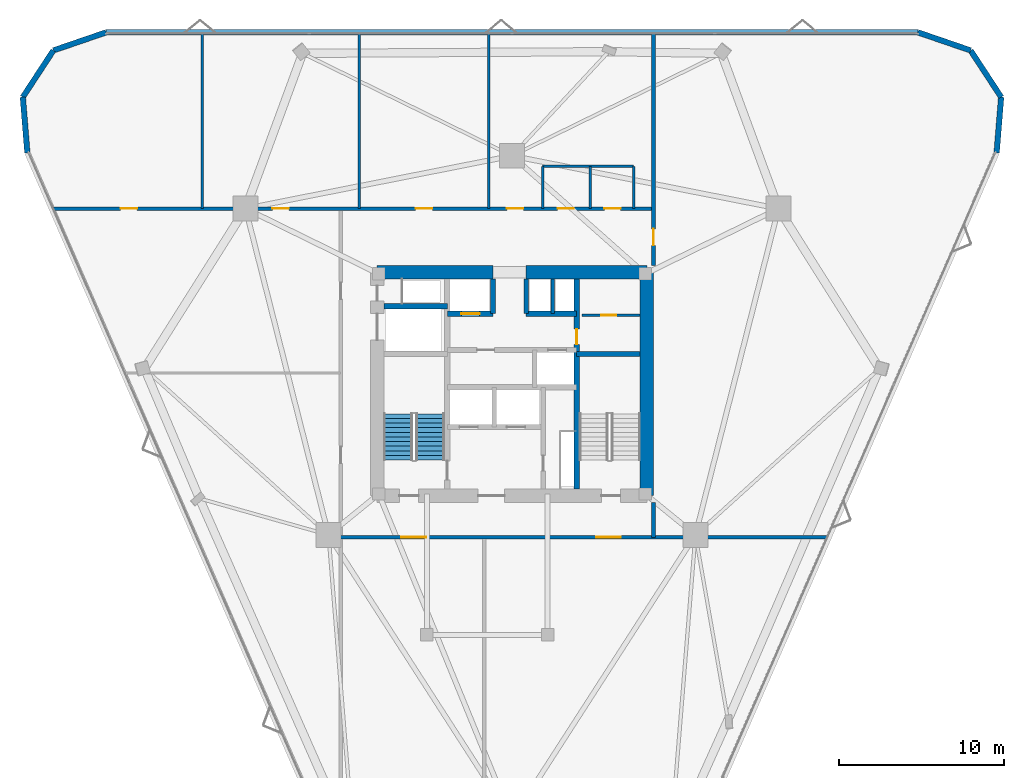
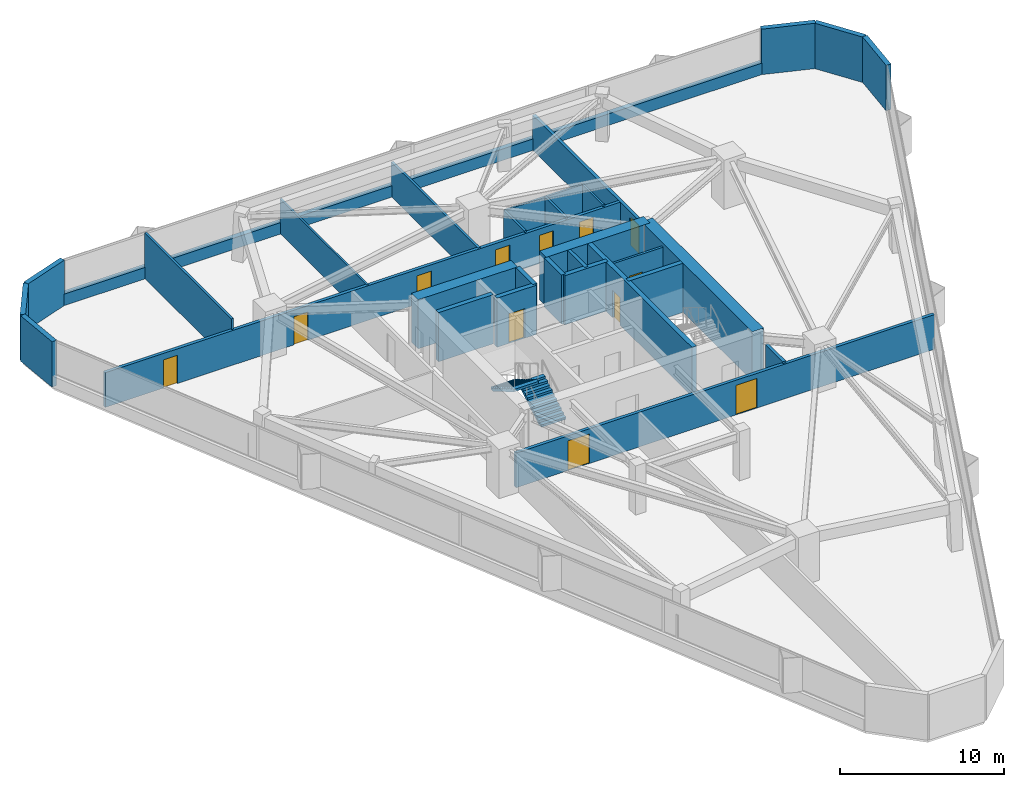
# One storey, part 13 of 15: 30 walls, 12 doors, 2 stair flights, 12 openings, 1 element without a shape of its own.
"""IFC4 building model written with IfcOpenShell, lengths in metres."""

from ifc_helpers import new_model, si_unit, direction, frame, frame_2d, origin, place, context, subcontext, project, spatial, polyline, rectangle, outline, extrude, material, layer, layer_set, type_object, element, fill, aggregate, save


model = new_model("IFC4")

# Units and contexts
model_context = context("Model", 3, precision=1e-05, world=origin(), true_north=direction((0.0, 1.0)))
body_context = subcontext(model_context, "Body", "Model", "MODEL_VIEW")
ifc_project = project(units=[si_unit("LENGTHUNIT", "METRE"), si_unit("AREAUNIT", "SQUARE_METRE"), si_unit("VOLUMEUNIT", "CUBIC_METRE"), si_unit("PLANEANGLEUNIT", "RADIAN"), si_unit("MASSUNIT", "GRAM", prefix="KILO")], contexts=[model_context])

# Site, building, storey
site_placement = place(None, origin())
site = spatial("IfcSite", under=ifc_project, at=site_placement, CompositionType="ELEMENT")
building_placement = place(site_placement, origin())
building = spatial("IfcBuilding", under=site, at=building_placement, Name="Talyreon Biosciences Tower", CompositionType="ELEMENT")
storey_placement = place(building_placement, frame((0.0, 0.0, 127.199951171875)))
storey = spatial("IfcBuildingStorey", under=building, at=storey_placement, Name="L33", CompositionType="ELEMENT", Elevation=127.199951171875)

# Walls
ifc_material_1 = material(Name="Concrete C50/60", Category="concrete")
ifc_layer_1 = layer(ifc_material_1, 0.219970703125)
ifc_layer_set_1 = layer_set([ifc_layer_1], Name="Concrete C50/60")
wall_type_1 = type_object("IfcWallType", Name="CoreShearWall_220", PredefinedType="SHEAR", material=ifc_layer_set_1)
wall_1_placement = place(storey_placement, frame((68.4599609375, 72.25, 0.0), z_axis=(0.0, 0.0, 1.0), x_axis=(0.0, 1.0, 0.0)))
element("IfcWall", 1, at=wall_1_placement, inside=storey, type_object=wall_type_1, Name="L33 Core Shaft Wall SWPHD", PredefinedType="SHEAR", context=body_context, shape_type="SweptSolid", body=[
    extrude(rectangle(XDim=2.10009765625, YDim=0.219970703125, at=frame_2d((1.050048828125, 0.0))), origin(), (0.0, 0.0, 1.0), 3.650146484375),
])
ifc_layer_2 = layer(ifc_material_1, 0.280029296875)
ifc_layer_set_2 = layer_set([ifc_layer_2], Name="Concrete C50/60")
wall_type_2 = type_object("IfcWallType", Name="CoreShearWall_280", PredefinedType="SHEAR", material=ifc_layer_set_2)
for number, where, z_axis, x_axis, name in (
    (2, (64.85009765625, 72.25, 0.0), (0.0, 0.0, 1.0), (0.0, 1.0, 0.0), "L33 Core Shaft Wall SWTHW"),
    (3, (66.85009765625, 72.25, 0.0), (0.0, 0.0, 1.0), (0.0, 1.0, 0.0), "L33 Core Shaft Wall SWTHE"),
):
    element("IfcWall", number, at=place(storey_placement, frame(where, z_axis=z_axis, x_axis=x_axis)), inside=storey, type_object=wall_type_2, Name=name, PredefinedType="SHEAR", context=body_context, shape_type="SweptSolid", body=[
        extrude(rectangle(XDim=2.10009765625, YDim=0.280029296875, at=frame_2d((1.050048828125, 0.0))), origin(), (0.0, 0.0, 1.0), 3.650146484375),
    ])

# Wall, opening, door
ifc_layer_3 = layer(ifc_material_1, 0.320068359375)
ifc_layer_set_3 = layer_set([ifc_layer_3], Name="Concrete C50/60")
wall_type_3 = type_object("IfcWallType", Name="CoreShearWall_320", PredefinedType="SHEAR", material=ifc_layer_set_3)
wall_2_placement = place(storey_placement, frame((69.909912109375, 61.64990234375, 0.0), z_axis=(0.0, 0.0, 1.0), x_axis=(0.0, 1.0, 0.0)))
wall_2 = element("IfcWall", 4, at=wall_2_placement, inside=storey, type_object=wall_type_3, Name="L33 Core Shaft Wall SW2W", PredefinedType="SHEAR", context=body_context, shape_type="SweptSolid", body=[
    extrude(rectangle(XDim=12.7001953125, YDim=0.320068359375, at=frame_2d((6.35009765625, 0.0))), origin(), (0.0, 0.0, 1.0), 3.650146484375),
])
opening_1_placement = place(wall_2_placement, frame((8.75, 0.0, 0.0)))
opening_1 = element("IfcOpeningElement", 5, at=opening_1_placement, cuts=wall_2, Name="Opening DR-L33-CSRV", PredefinedType="OPENING", context=body_context, shape_type="SweptSolid", body=[
    extrude(rectangle(XDim=0.919921875, YDim=2.050048828125, at=frame_2d((0.4599609375, 1.02490234375))), frame((0.0, 0.169921875, 0.0), z_axis=(0.0, -1.0, 0.0), x_axis=(1.0, 0.0, 0.0)), (0.0, 0.0, 1.0), 0.340087890625),
])
ifc_material_2 = material(Name="Painted steel fire-rated riser door", Category="steel")
door_type_1 = type_object("IfcDoorType", Name="RiserPlantAccessDoor_920x2050", OperationType="NOTDEFINED", PredefinedType="DOOR", material=ifc_material_2)
door_1_placement = place(opening_1_placement, origin())
door_1 = element("IfcDoor", 6, at=door_1_placement, inside=storey, type_object=door_type_1, Name="L33 Core Door DR-L33-CSRV", OperationType="SINGLE_SWING_RIGHT", OverallHeight=2.050048828125, OverallWidth=0.919921875, PredefinedType="DOOR", context=body_context, shape_type="SweptSolid", body=[
    extrude(rectangle(XDim=0.919921875, YDim=2.050048828125, at=frame_2d((0.4599609375, 1.02490234375))), frame((0.0, 0.02490234375, 0.0), z_axis=(0.0, -1.0, 0.0), x_axis=(1.0, 0.0, 0.0)), (0.0, 0.0, 1.0), 0.050048828125),
])
fill(opening_1, door_1)

# Walls
for number, where, z_axis, x_axis, name in (
    (7, (69.909912109375, 69.81005859375, 0.0), (0.0, 0.0, 1.0), (1.0, 0.0, 0.0), "L33 Core Shaft Wall SW2N"),
    (8, (58.25, 72.699951171875, 0.0), (0.0, 0.0, 1.0), (1.0, 0.0, 0.0), "L33 Core Shaft Wall SWGLN"),
):
    element("IfcWall", number, at=place(storey_placement, frame(where, z_axis=z_axis, x_axis=x_axis)), inside=storey, type_object=wall_type_3, Name=name, PredefinedType="SHEAR", context=body_context, shape_type="SweptSolid", body=[
        extrude(rectangle(XDim=3.840087890625, YDim=0.320068359375, at=frame_2d((1.919921875, 0.0))), origin(), (0.0, 0.0, 1.0), 3.650146484375),
    ])

# Wall, opening, door
wall_3_placement = place(storey_placement, frame((62.090087890625, 72.25, 0.0), z_axis=(0.0, 0.0, 1.0), x_axis=(1.0, 0.0, 0.0)))
wall_3 = element("IfcWall", 9, at=wall_3_placement, inside=storey, type_object=wall_type_3, Name="L33 Core Shaft Wall SWNPW", PredefinedType="SHEAR", context=body_context, shape_type="SweptSolid", body=[
    extrude(rectangle(XDim=2.760009765625, YDim=0.320068359375, at=frame_2d((1.3798828125, 0.0))), origin(), (0.0, 0.0, 1.0), 3.650146484375),
])
opening_2_placement = place(wall_3_placement, frame((0.85009765625, 0.0, 0.0)))
opening_2 = element("IfcOpeningElement", 10, at=opening_2_placement, cuts=wall_3, Name="Opening LD-L33-PM2", PredefinedType="OPENING", context=body_context, shape_type="SweptSolid", body=[
    extrude(rectangle(XDim=1.10009765625, YDim=2.199951171875, at=frame_2d((0.550048828125, 1.10009765625))), frame((0.0, 0.169921875, 0.0), z_axis=(0.0, -1.0, 0.0), x_axis=(1.0, 0.0, 0.0)), (0.0, 0.0, 1.0), 0.340087890625),
])
ifc_material_3 = material(Name="Brushed stainless-steel lift landing door", Category="steel")
door_type_2 = type_object("IfcDoorType", Name="LiftSlidingLandingDoor_1100x2200", OperationType="SLIDING_TO_LEFT", PredefinedType="DOOR", material=ifc_material_3)
door_2_placement = place(opening_2_placement, origin())
door_2 = element("IfcDoor", 11, at=door_2_placement, inside=storey, type_object=door_type_2, Name="L33 Core Door LD-L33-PM2", OperationType="SLIDING_TO_LEFT", OverallHeight=2.199951171875, OverallWidth=1.10009765625, PredefinedType="DOOR", context=body_context, shape_type="SweptSolid", body=[
    extrude(rectangle(XDim=1.10009765625, YDim=2.199951171875, at=frame_2d((0.550048828125, 1.10009765625))), frame((0.0, 0.02490234375, 0.0), z_axis=(0.0, -1.0, 0.0), x_axis=(1.0, 0.0, 0.0)), (0.0, 0.0, 1.0), 0.050048828125),
])
fill(opening_2, door_2)

# Walls
wall_4_placement = place(storey_placement, frame((66.85009765625, 72.25, 0.0), z_axis=(0.0, 0.0, 1.0), x_axis=(1.0, 0.0, 0.0)))
element("IfcWall", 12, at=wall_4_placement, inside=storey, type_object=wall_type_3, Name="L33 Core Shaft Wall SWNPE", PredefinedType="SHEAR", context=body_context, shape_type="SweptSolid", body=[
    extrude(rectangle(XDim=3.059814453125, YDim=0.320068359375, at=frame_2d((1.52978515625, 0.0))), origin(), (0.0, 0.0, 1.0), 3.650146484375),
])
ifc_material_4 = material(Name="Concrete C60/75", Category="concrete")
ifc_layer_4 = layer(ifc_material_4, 0.800048828125)
ifc_layer_set_4 = layer_set([ifc_layer_4], Name="Concrete C60/75")
wall_type_4 = type_object("IfcWallType", Name="CoreShearWall_800", PredefinedType="SHEAR", material=ifc_layer_set_4)
wall_5_placement = place(storey_placement, frame((74.14990234375, 61.25, 0.0), z_axis=(0.0, 0.0, 1.0), x_axis=(0.0, 1.0, 0.0)))
element("IfcWall", 13, at=wall_5_placement, inside=storey, type_object=wall_type_4, Name="L33 Core Shear Wall E", PredefinedType="SHEAR", context=body_context, shape_type="SweptSolid", body=[
    extrude(rectangle(XDim=13.5, YDim=0.800048828125, at=frame_2d((6.75, 0.0))), origin(), (0.0, 0.0, 1.0), 3.650146484375),
])
wall_6_placement = place(storey_placement, frame((74.14990234375, 74.75, 0.0), z_axis=(0.0, 0.0, 1.0), x_axis=(-1.0, 0.0, 0.0)))
element("IfcWall", 14, at=wall_6_placement, inside=storey, type_object=wall_type_4, Name="L33 Core Shear Wall NE", PredefinedType="SHEAR", context=body_context, shape_type="SweptSolid", body=[
    extrude(rectangle(XDim=7.2998046875, YDim=0.800048828125, at=frame_2d((3.64990234375, 0.0))), origin(), (0.0, 0.0, 1.0), 3.650146484375),
])
wall_7_placement = place(storey_placement, frame((64.85009765625, 74.75, 0.0), z_axis=(0.0, 0.0, 1.0), x_axis=(-1.0, 0.0, 0.0)))
element("IfcWall", 15, at=wall_7_placement, inside=storey, type_object=wall_type_4, Name="L33 Core Shear Wall NW", PredefinedType="SHEAR", context=body_context, shape_type="SweptSolid", body=[
    extrude(rectangle(XDim=7.0, YDim=0.800048828125, at=frame_2d((3.5, 0.0))), origin(), (0.0, 0.0, 1.0), 3.650146484375),
])

# Wall, openings, doors
ifc_material_5 = material(Name="Gypsum fireboard acoustic stud", Category="gypsum")
ifc_layer_5 = layer(ifc_material_5, 0.219970703125)
ifc_layer_set_5 = layer_set([ifc_layer_5], Name="Gypsum fireboard acoustic stud")
wall_type_5 = type_object("IfcWallType", Name="CorridorRatedPartition_220", PredefinedType="PARTITIONING", material=ifc_layer_set_5)
wall_8_placement = place(storey_placement, frame((38.276123046875, 78.60009765625, 0.0), z_axis=(0.0, 0.0, 1.0), x_axis=(1.0, 0.0, 0.0)))
wall_8 = element("IfcWall", 16, at=wall_8_placement, inside=storey, type_object=wall_type_5, Name="L33 Interior Wall IW-L33-COR-N", PredefinedType="PARTITIONING", context=body_context, shape_type="SweptSolid", body=[
    extrude(rectangle(XDim=36.27392578125, YDim=0.219970703125, at=frame_2d((18.136962890625, 0.0))), origin(), (0.0, 0.0, 1.0), 2.574951171875),
])
opening_3_placement = place(wall_8_placement, frame((30.48388671875, 0.0, 0.0)))
opening_3 = element("IfcOpeningElement", 17, at=opening_3_placement, cuts=wall_8, Name="Opening DR-L33-WC", PredefinedType="OPENING", context=body_context, shape_type="SweptSolid", body=[
    extrude(rectangle(XDim=0.97998046875, YDim=2.10009765625, at=frame_2d((0.489990234375, 1.050048828125))), frame((0.0, 0.119873046875, 0.0), z_axis=(0.0, -1.0, 0.0), x_axis=(1.0, 0.0, 0.0)), (0.0, 0.0, 1.0), 0.239990234375),
])
opening_4_placement = place(wall_8_placement, frame((33.30908203125, 0.0, 0.0)))
opening_4 = element("IfcOpeningElement", 18, at=opening_4_placement, cuts=wall_8, Name="Opening DR-L33-AWC", PredefinedType="OPENING", context=body_context, shape_type="SweptSolid", body=[
    extrude(rectangle(XDim=0.97998046875, YDim=2.10009765625, at=frame_2d((0.489990234375, 1.050048828125))), frame((0.0, 0.119873046875, 0.0), z_axis=(0.0, -1.0, 0.0), x_axis=(1.0, 0.0, 0.0)), (0.0, 0.0, 1.0), 0.239990234375),
])
opening_5_placement = place(wall_8_placement, frame((4.072998046875, 0.0, 0.0)))
opening_5 = element("IfcOpeningElement", 19, at=opening_5_placement, cuts=wall_8, Name="Opening DR-L33-N1A", PredefinedType="OPENING", context=body_context, shape_type="SweptSolid", body=[
    extrude(rectangle(XDim=1.0, YDim=2.10009765625, at=frame_2d((0.5, 1.050048828125))), frame((0.0, 0.119873046875, 0.0), z_axis=(0.0, -1.0, 0.0), x_axis=(1.0, 0.0, 0.0)), (0.0, 0.0, 1.0), 0.239990234375),
])
opening_6_placement = place(wall_8_placement, frame((13.242919921875, 0.0, 0.0)))
opening_6 = element("IfcOpeningElement", 20, at=opening_6_placement, cuts=wall_8, Name="Opening DR-L33-N2A", PredefinedType="OPENING", context=body_context, shape_type="SweptSolid", body=[
    extrude(rectangle(XDim=1.0, YDim=2.10009765625, at=frame_2d((0.5, 1.050048828125))), frame((0.0, 0.119873046875, 0.0), z_axis=(0.0, -1.0, 0.0), x_axis=(1.0, 0.0, 0.0)), (0.0, 0.0, 1.0), 0.239990234375),
])
opening_7_placement = place(wall_8_placement, frame((21.906005859375, 0.0, 0.0)))
opening_7 = element("IfcOpeningElement", 21, at=opening_7_placement, cuts=wall_8, Name="Opening DR-L33-N3A", PredefinedType="OPENING", context=body_context, shape_type="SweptSolid", body=[
    extrude(rectangle(XDim=1.0, YDim=2.10009765625, at=frame_2d((0.5, 1.050048828125))), frame((0.0, 0.119873046875, 0.0), z_axis=(0.0, -1.0, 0.0), x_axis=(1.0, 0.0, 0.0)), (0.0, 0.0, 1.0), 0.239990234375),
])
opening_8_placement = place(wall_8_placement, frame((27.408935546875, 0.0, 0.0)))
opening_8 = element("IfcOpeningElement", 22, at=opening_8_placement, cuts=wall_8, Name="Opening DR-L33-N4A", PredefinedType="OPENING", context=body_context, shape_type="SweptSolid", body=[
    extrude(rectangle(XDim=1.0, YDim=2.10009765625, at=frame_2d((0.5, 1.050048828125))), frame((0.0, 0.119873046875, 0.0), z_axis=(0.0, -1.0, 0.0), x_axis=(1.0, 0.0, 0.0)), (0.0, 0.0, 1.0), 0.239990234375),
])
ifc_material_6 = material(Name="Laminate moisture-resistant door", Category="wood")
door_type_3 = type_object("IfcDoorType", Name="AccessibleToiletDoor_980x2100", OperationType="NOTDEFINED", PredefinedType="DOOR", material=ifc_material_6)
door_3_placement = place(opening_3_placement, origin())
door_3 = element("IfcDoor", 23, at=door_3_placement, inside=storey, type_object=door_type_3, Name="L33 Interior Door DR-L33-WC", OperationType="SINGLE_SWING_LEFT", OverallHeight=2.10009765625, OverallWidth=0.97998046875, PredefinedType="DOOR", context=body_context, shape_type="SweptSolid", body=[
    extrude(rectangle(XDim=0.97998046875, YDim=2.10009765625, at=frame_2d((0.489990234375, 1.050048828125))), frame((0.0, 0.02490234375, 0.0), z_axis=(0.0, -1.0, 0.0), x_axis=(1.0, 0.0, 0.0)), (0.0, 0.0, 1.0), 0.050048828125),
])
fill(opening_3, door_3)
door_4_placement = place(opening_4_placement, origin())
door_4 = element("IfcDoor", 24, at=door_4_placement, inside=storey, type_object=door_type_3, Name="L33 Interior Door DR-L33-AWC", OperationType="SINGLE_SWING_RIGHT", OverallHeight=2.10009765625, OverallWidth=0.97998046875, PredefinedType="DOOR", context=body_context, shape_type="SweptSolid", body=[
    extrude(rectangle(XDim=0.97998046875, YDim=2.10009765625, at=frame_2d((0.489990234375, 1.050048828125))), frame((0.0, 0.02490234375, 0.0), z_axis=(0.0, -1.0, 0.0), x_axis=(1.0, 0.0, 0.0)), (0.0, 0.0, 1.0), 0.050048828125),
])
fill(opening_4, door_4)
ifc_material_7 = material(Name="Acoustic oak veneer office door", Category="wood")
door_type_4 = type_object("IfcDoorType", Name="WriteupOfficeDoor_1000x2100", OperationType="NOTDEFINED", PredefinedType="DOOR", material=ifc_material_7)
door_5_placement = place(opening_5_placement, origin())
door_5 = element("IfcDoor", 25, at=door_5_placement, inside=storey, type_object=door_type_4, Name="L33 Interior Door DR-L33-N1A", OperationType="SINGLE_SWING_RIGHT", OverallHeight=2.10009765625, OverallWidth=1.0, PredefinedType="DOOR", context=body_context, shape_type="SweptSolid", body=[
    extrude(rectangle(XDim=1.0, YDim=2.10009765625, at=frame_2d((0.5, 1.050048828125))), frame((0.0, 0.02490234375, 0.0), z_axis=(0.0, -1.0, 0.0), x_axis=(1.0, 0.0, 0.0)), (0.0, 0.0, 1.0), 0.050048828125),
])
fill(opening_5, door_5)
door_6_placement = place(opening_6_placement, origin())
door_6 = element("IfcDoor", 26, at=door_6_placement, inside=storey, type_object=door_type_4, Name="L33 Interior Door DR-L33-N2A", OperationType="SINGLE_SWING_RIGHT", OverallHeight=2.10009765625, OverallWidth=1.0, PredefinedType="DOOR", context=body_context, shape_type="SweptSolid", body=[
    extrude(rectangle(XDim=1.0, YDim=2.10009765625, at=frame_2d((0.5, 1.050048828125))), frame((0.0, 0.02490234375, 0.0), z_axis=(0.0, -1.0, 0.0), x_axis=(1.0, 0.0, 0.0)), (0.0, 0.0, 1.0), 0.050048828125),
])
fill(opening_6, door_6)
door_7_placement = place(opening_7_placement, origin())
door_7 = element("IfcDoor", 27, at=door_7_placement, inside=storey, type_object=door_type_4, Name="L33 Interior Door DR-L33-N3A", OperationType="SINGLE_SWING_RIGHT", OverallHeight=2.10009765625, OverallWidth=1.0, PredefinedType="DOOR", context=body_context, shape_type="SweptSolid", body=[
    extrude(rectangle(XDim=1.0, YDim=2.10009765625, at=frame_2d((0.5, 1.050048828125))), frame((0.0, 0.02490234375, 0.0), z_axis=(0.0, -1.0, 0.0), x_axis=(1.0, 0.0, 0.0)), (0.0, 0.0, 1.0), 0.050048828125),
])
fill(opening_7, door_7)
door_8_placement = place(opening_8_placement, origin())
door_8 = element("IfcDoor", 28, at=door_8_placement, inside=storey, type_object=door_type_4, Name="L33 Interior Door DR-L33-N4A", OperationType="SINGLE_SWING_LEFT", OverallHeight=2.10009765625, OverallWidth=1.0, PredefinedType="DOOR", context=body_context, shape_type="SweptSolid", body=[
    extrude(rectangle(XDim=1.0, YDim=2.10009765625, at=frame_2d((0.5, 1.050048828125))), frame((0.0, 0.02490234375, 0.0), z_axis=(0.0, -1.0, 0.0), x_axis=(1.0, 0.0, 0.0)), (0.0, 0.0, 1.0), 0.050048828125),
])
fill(opening_8, door_8)

wall_9_placement = place(storey_placement, frame((55.64990234375, 58.72998046875, 0.0), z_axis=(0.0, 0.0, 1.0), x_axis=(1.0, 0.0, 0.0)))
wall_9 = element("IfcWall", 29, at=wall_9_placement, inside=storey, type_object=wall_type_5, Name="L33 Interior Wall IW-L33-COR-S", PredefinedType="PARTITIONING", context=body_context, shape_type="SweptSolid", body=[
    extrude(rectangle(XDim=29.400390625, YDim=0.219970703125, at=frame_2d((14.7001953125, 0.0))), origin(), (0.0, 0.0, 1.0), 2.574951171875),
])
opening_9_placement = place(wall_9_placement, frame((3.6650390625, 0.0, 0.0)))
opening_9 = element("IfcOpeningElement", 30, at=opening_9_placement, cuts=wall_9, Name="Opening DR-L33-S1A", PredefinedType="OPENING", context=body_context, shape_type="SweptSolid", body=[
    extrude(rectangle(XDim=1.5, YDim=2.199951171875, at=frame_2d((0.75, 1.10009765625))), frame((0.0, 0.119873046875, 0.0), z_axis=(0.0, -1.0, 0.0), x_axis=(1.0, 0.0, 0.0)), (0.0, 0.0, 1.0), 0.239990234375),
])
opening_10_placement = place(wall_9_placement, frame((15.43603515625, 0.0, 0.0)))
opening_10 = element("IfcOpeningElement", 31, at=opening_10_placement, cuts=wall_9, Name="Opening DR-L33-S2A", PredefinedType="OPENING", context=body_context, shape_type="SweptSolid", body=[
    extrude(rectangle(XDim=1.5, YDim=2.199951171875, at=frame_2d((0.75, 1.10009765625))), frame((0.0, 0.119873046875, 0.0), z_axis=(0.0, -1.0, 0.0), x_axis=(1.0, 0.0, 0.0)), (0.0, 0.0, 1.0), 0.239990234375),
])
ifc_material_8 = material(Name="Vision-panel steel laboratory fire door", Category="steel")
door_type_5 = type_object("IfcDoorType", Name="WetLabDoubleLeafDoor_1500x2200", OperationType="DOUBLE_DOOR_SINGLE_SWING", PredefinedType="DOOR", material=ifc_material_8)
door_9_placement = place(opening_9_placement, origin())
door_9 = element("IfcDoor", 32, at=door_9_placement, inside=storey, type_object=door_type_5, Name="L33 Interior Door DR-L33-S1A", OperationType="DOUBLE_DOOR_SINGLE_SWING", OverallHeight=2.199951171875, OverallWidth=1.5, PredefinedType="DOOR", context=body_context, shape_type="SweptSolid", body=[
    extrude(rectangle(XDim=1.5, YDim=2.199951171875, at=frame_2d((0.75, 1.10009765625))), frame((0.0, 0.02490234375, 0.0), z_axis=(0.0, -1.0, 0.0), x_axis=(1.0, 0.0, 0.0)), (0.0, 0.0, 1.0), 0.050048828125),
])
fill(opening_9, door_9)
door_10_placement = place(opening_10_placement, origin())
door_10 = element("IfcDoor", 33, at=door_10_placement, inside=storey, type_object=door_type_5, Name="L33 Interior Door DR-L33-S2A", OperationType="DOUBLE_DOOR_SINGLE_SWING", OverallHeight=2.199951171875, OverallWidth=1.5, PredefinedType="DOOR", context=body_context, shape_type="SweptSolid", body=[
    extrude(rectangle(XDim=1.5, YDim=2.199951171875, at=frame_2d((0.75, 1.10009765625))), frame((0.0, 0.02490234375, 0.0), z_axis=(0.0, -1.0, 0.0), x_axis=(1.0, 0.0, 0.0)), (0.0, 0.0, 1.0), 0.050048828125),
])
fill(opening_10, door_10)

# Wall, opening, door
wall_10_placement = place(storey_placement, frame((74.550048828125, 75.14990234375, 0.0), z_axis=(0.0, 0.0, 1.0), x_axis=(0.0, 1.0, 0.0)))
wall_10 = element("IfcWall", 34, at=wall_10_placement, inside=storey, type_object=wall_type_5, Name="L33 Interior Wall IW-L33-ECAP-N", PredefinedType="PARTITIONING", context=body_context, shape_type="SweptSolid", body=[
    extrude(rectangle(XDim=14.01806640625, YDim=0.219970703125, at=frame_2d((7.009033203125, 0.0))), origin(), (0.0, 0.0, 1.0), 2.574951171875),
])
opening_11_placement = place(wall_10_placement, frame((1.22509765625, 0.0, 0.0)))
opening_11 = element("IfcOpeningElement", 35, at=opening_11_placement, cuts=wall_10, Name="Opening DR-L33-E1A", PredefinedType="OPENING", context=body_context, shape_type="SweptSolid", body=[
    extrude(rectangle(XDim=1.0, YDim=2.10009765625, at=frame_2d((0.5, 1.050048828125))), frame((0.0, 0.119873046875, 0.0), z_axis=(0.0, -1.0, 0.0), x_axis=(1.0, 0.0, 0.0)), (0.0, 0.0, 1.0), 0.239990234375),
])
door_11_placement = place(opening_11_placement, origin())
door_11 = element("IfcDoor", 36, at=door_11_placement, inside=storey, type_object=door_type_4, Name="L33 Interior Door DR-L33-E1A", OperationType="SINGLE_SWING_LEFT", OverallHeight=2.10009765625, OverallWidth=1.0, PredefinedType="DOOR", context=body_context, shape_type="SweptSolid", body=[
    extrude(rectangle(XDim=1.0, YDim=2.10009765625, at=frame_2d((0.5, 1.050048828125))), frame((0.0, 0.02490234375, 0.0), z_axis=(0.0, -1.0, 0.0), x_axis=(1.0, 0.0, 0.0)), (0.0, 0.0, 1.0), 0.050048828125),
])
fill(opening_11, door_11)

# Wall
wall_11_placement = place(storey_placement, frame((74.550048828125, 58.72998046875, 0.0), z_axis=(0.0, 0.0, 1.0), x_axis=(0.0, 1.0, 0.0)))
element("IfcWall", 37, at=wall_11_placement, inside=storey, type_object=wall_type_5, Name="L33 Interior Wall IW-L33-ECAP-S", PredefinedType="PARTITIONING", context=body_context, shape_type="SweptSolid", body=[
    extrude(rectangle(XDim=2.1201171875, YDim=0.219970703125, at=frame_2d((1.06005859375, 0.0))), origin(), (0.0, 0.0, 1.0), 2.705078125),
])

# Wall, opening, door
ifc_material_9 = material(Name="Gypsum acoustic stud partition", Category="gypsum")
ifc_layer_6 = layer(ifc_material_9, 0.159912109375)
ifc_layer_set_6 = layer_set([ifc_layer_6], Name="Gypsum acoustic stud partition")
wall_type_6 = type_object("IfcWallType", Name="LabSeparationPartition_160", PredefinedType="PARTITIONING", material=ifc_layer_set_6)
wall_12_placement = place(storey_placement, frame((70.22998046875, 72.14990234375, 0.0), z_axis=(0.0, 0.0, 1.0), x_axis=(1.0, 0.0, 0.0)))
wall_12 = element("IfcWall", 38, at=wall_12_placement, inside=storey, type_object=wall_type_6, Name="L33 Interior Wall IW-L33-CSRV-H", PredefinedType="PARTITIONING", context=body_context, shape_type="SweptSolid", body=[
    extrude(rectangle(XDim=3.52001953125, YDim=0.159912109375, at=frame_2d((1.760009765625, 0.0))), origin(), (0.0, 0.0, 1.0), 3.375),
])
opening_12_placement = place(wall_12_placement, frame((1.14990234375, 0.0, 0.0)))
opening_12 = element("IfcOpeningElement", 39, at=opening_12_placement, cuts=wall_12, Name="Opening DR-L33-CSRV-I", PredefinedType="OPENING", context=body_context, shape_type="SweptSolid", body=[
    extrude(rectangle(XDim=0.919921875, YDim=2.050048828125, at=frame_2d((0.4599609375, 1.02490234375))), frame((0.0, 0.08984375, 0.0), z_axis=(0.0, -1.0, 0.0), x_axis=(1.0, 0.0, 0.0)), (0.0, 0.0, 1.0), 0.179931640625),
])
door_12_placement = place(opening_12_placement, origin())
door_12 = element("IfcDoor", 40, at=door_12_placement, inside=storey, type_object=door_type_1, Name="L33 Interior Door DR-L33-CSRV-I", OperationType="SINGLE_SWING_LEFT", OverallHeight=2.050048828125, OverallWidth=0.919921875, PredefinedType="DOOR", context=body_context, shape_type="SweptSolid", body=[
    extrude(rectangle(XDim=0.919921875, YDim=2.050048828125, at=frame_2d((0.4599609375, 1.02490234375))), frame((0.0, 0.02490234375, 0.0), z_axis=(0.0, -1.0, 0.0), x_axis=(1.0, 0.0, 0.0)), (0.0, 0.0, 1.0), 0.050048828125),
])
fill(opening_12, door_12)

# Walls
wall_13_placement = place(storey_placement, frame((47.27294921875, 78.60009765625, 0.0), z_axis=(0.0, 0.0, 1.0), x_axis=(0.0, 1.0, 0.0)))
element("IfcWall", 41, at=wall_13_placement, inside=storey, type_object=wall_type_6, Name="L33 Interior Wall IW-L33-NDIV1", PredefinedType="PARTITIONING", context=body_context, shape_type="SweptSolid", body=[
    extrude(rectangle(XDim=10.56787109375, YDim=0.159912109375, at=frame_2d((5.283935546875, 0.0))), origin(), (0.0, 0.0, 1.0), 3.375),
])
wall_14_placement = place(storey_placement, frame((64.60009765625, 78.60009765625, 0.0), z_axis=(0.0, 0.0, 1.0), x_axis=(0.0, 1.0, 0.0)))
element("IfcWall", 42, at=wall_14_placement, inside=storey, type_object=wall_type_6, Name="L33 Interior Wall IW-L33-NDIV3", PredefinedType="PARTITIONING", context=body_context, shape_type="SweptSolid", body=[
    extrude(rectangle(XDim=10.56787109375, YDim=0.159912109375, at=frame_2d((5.283935546875, 0.0))), origin(), (0.0, 0.0, 1.0), 2.574951171875),
])
ifc_layer_7 = layer(ifc_material_9, 0.1298828125)
ifc_layer_set_7 = layer_set([ifc_layer_7], Name="Gypsum acoustic stud partition")
wall_type_7 = type_object("IfcWallType", Name="OfficeWriteupPartition_130", PredefinedType="PARTITIONING", material=ifc_layer_set_7)
wall_15_placement = place(storey_placement, frame((56.764892578125, 78.60009765625, 0.0), z_axis=(0.0, 0.0, 1.0), x_axis=(0.0, 1.0, 0.0)))
element("IfcWall", 43, at=wall_15_placement, inside=storey, type_object=wall_type_7, Name="L33 Interior Wall IW-L33-NDIV2", PredefinedType="PARTITIONING", context=body_context, shape_type="SweptSolid", body=[
    extrude(rectangle(XDim=10.56787109375, YDim=0.1298828125, at=frame_2d((5.283935546875, 0.0))), origin(), (0.0, 0.0, 1.0), 2.574951171875),
])
ifc_material_10 = material(Name="Precast concrete C45/55", Category="concrete")
ifc_layer_8 = layer(ifc_material_10, 0.340087890625)
ifc_layer_set_8 = layer_set([ifc_layer_8], Name="Precast concrete C45/55")
wall_type_8 = type_object("IfcWallType", Name="PrecastConcreteSpandrelWall_340", PredefinedType="STANDARD", material=ifc_layer_set_8)
wall_16_placement = place(storey_placement, frame((36.711181640625, 81.97265625, 0.0), z_axis=(0.0, 0.0, 1.0), x_axis=(-0.081111170457, 0.996705060701, 0.0)))
element("IfcWall", 44, at=wall_16_placement, inside=storey, type_object=wall_type_8, Name="L33 Rounded-Corner Concrete Pier 01", PredefinedType="STANDARD", context=body_context, shape_type="SweptSolid", body=[
    extrude(rectangle(XDim=3.374267578125, YDim=0.340087890625, at=frame_2d((1.68701171875, 0.0))), origin(), (0.0, 0.0, 1.0), 3.375),
])
for number, where, z_axis, x_axis, name in (
    (45, (36.4375, 85.335693359375, 0.0), (0.0, 0.0, 1.0), (0.547717201276, 0.836663532984, 0.0), "L33 Rounded-Corner Concrete Pier 02"),
    (46, (38.285400390625, 88.158447265625, 0.0), (0.0, 0.0, 1.0), (0.945919936879, 0.324400174191, 0.0), "L33 Rounded-Corner Concrete Pier 03"),
):
    element("IfcWall", number, at=place(storey_placement, frame(where, z_axis=z_axis, x_axis=x_axis)), inside=storey, type_object=wall_type_8, Name=name, PredefinedType="STANDARD", context=body_context, shape_type="SweptSolid", body=[
        extrude(rectangle(XDim=3.373779296875, YDim=0.340087890625, at=frame_2d((1.68701171875, 0.0))), origin(), (0.0, 0.0, 1.0), 3.375),
    ])
wall_17_placement = place(storey_placement, frame((41.476806640625, 89.2529296875, 0.0), z_axis=(0.0, 0.0, 1.0), x_axis=(1.0, 0.0, 0.0)))
element("IfcWall", 47, at=wall_17_placement, inside=storey, type_object=wall_type_8, Name="L33 Expressed Concrete Sill Wall 04", PredefinedType="STANDARD", context=body_context, shape_type="SweptSolid", body=[
    extrude(rectangle(XDim=49.04638671875, YDim=0.340087890625, at=frame_2d((24.523193359375, 0.0))), origin(), (0.0, 0.0, 1.0), 0.85009765625),
])
for number, where, z_axis, x_axis, name in (
    (48, (90.523193359375, 89.2529296875, 0.0), (0.0, 0.0, 1.0), (0.945919936879, -0.324400174191, 0.0), "L33 Rounded-Corner Concrete Pier 05"),
    (49, (93.714599609375, 88.158447265625, 0.0), (0.0, 0.0, 1.0), (0.547717201276, -0.836663532984, 0.0), "L33 Rounded-Corner Concrete Pier 06"),
):
    element("IfcWall", number, at=place(storey_placement, frame(where, z_axis=z_axis, x_axis=x_axis)), inside=storey, type_object=wall_type_8, Name=name, PredefinedType="STANDARD", context=body_context, shape_type="SweptSolid", body=[
        extrude(rectangle(XDim=3.373779296875, YDim=0.340087890625, at=frame_2d((1.68701171875, 0.0))), origin(), (0.0, 0.0, 1.0), 3.375),
    ])
wall_18_placement = place(storey_placement, frame((95.5625, 85.335693359375, 0.0), z_axis=(0.0, 0.0, 1.0), x_axis=(-0.081111170457, -0.996705060701, 0.0)))
element("IfcWall", 50, at=wall_18_placement, inside=storey, type_object=wall_type_8, Name="L33 Rounded-Corner Concrete Pier 07", PredefinedType="STANDARD", context=body_context, shape_type="SweptSolid", body=[
    extrude(rectangle(XDim=3.374267578125, YDim=0.340087890625, at=frame_2d((1.68701171875, 0.0))), origin(), (0.0, 0.0, 1.0), 3.375),
])
ifc_material_11 = material(Name="Moisture-resistant cement-board stud", Category="gypsum")
ifc_layer_9 = layer(ifc_material_11, 0.14501953125)
ifc_layer_set_9 = layer_set([ifc_layer_9], Name="Moisture-resistant cement-board stud")
wall_type_9 = type_object("IfcWallType", Name="WetRoomPartition_145", PredefinedType="PARTITIONING", material=ifc_layer_set_9)
for number, where, z_axis, x_axis, name in (
    (51, (67.85009765625, 78.60009765625, 0.0), (0.0, 0.0, 1.0), (0.0, 1.0, 0.0), "L33 Interior Wall IW-L33-WCL"),
    (52, (70.72509765625, 78.60009765625, 0.0), (0.0, 0.0, 1.0), (0.0, 1.0, 0.0), "L33 Interior Wall IW-L33-WCM"),
    (53, (73.35009765625, 78.60009765625, 0.0), (0.0, 0.0, 1.0), (0.0, 1.0, 0.0), "L33 Interior Wall IW-L33-WCR"),
):
    element("IfcWall", number, at=place(storey_placement, frame(where, z_axis=z_axis, x_axis=x_axis)), inside=storey, type_object=wall_type_9, Name=name, PredefinedType="PARTITIONING", context=body_context, shape_type="SweptSolid", body=[
        extrude(rectangle(XDim=2.5498046875, YDim=0.14501953125, at=frame_2d((1.27490234375, 0.0))), origin(), (0.0, 0.0, 1.0), 2.705078125),
    ])
wall_19_placement = place(storey_placement, frame((67.85009765625, 81.14990234375, 0.0), z_axis=(0.0, 0.0, 1.0), x_axis=(1.0, 0.0, 0.0)))
element("IfcWall", 54, at=wall_19_placement, inside=storey, type_object=wall_type_9, Name="L33 Interior Wall IW-L33-WCT", PredefinedType="PARTITIONING", context=body_context, shape_type="SweptSolid", body=[
    extrude(rectangle(XDim=5.5, YDim=0.14501953125, at=frame_2d((2.75, 0.0))), origin(), (0.0, 0.0, 1.0), 2.705078125),
])

# Stair, stair flights
ifc_material_12 = material(Name="Concrete C40/50", Category="concrete")
stair_type = type_object("IfcStairType", Name="DoglegEscapeStair_3650", PredefinedType="HALF_TURN_STAIR", material=ifc_material_12)
stair_placement = place(storey_placement, origin())
stair = element("IfcStair", 55, at=stair_placement, inside=storey, type_object=stair_type, Name="L33 Core Escape Stair 1", PredefinedType="HALF_TURN_STAIR")
stair_flight_type = type_object("IfcStairFlightType", Name="PrecastStairFlight_3650", PredefinedType="STRAIGHT", material=ifc_material_12)
stair_flight_1_placement = place(storey_placement, frame((61.06005859375, 63.39990234375, 0.0), z_axis=(0.0, 0.0, 1.0), x_axis=(0.0, 1.0, 0.0)))
stair_flight_1 = element("IfcStairFlight", 56, at=stair_flight_1_placement, type_object=stair_flight_type, Name="ST-1 flight 1", NumberOfRisers=11, NumberOfTreads=10, PredefinedType="STRAIGHT", RiserHeight=0.165909091, TreadLength=0.28, context=body_context, shape_type="SweptSolid", body=[
    extrude(outline(polyline([(0.0, 0.0), (0.0, 0.166015625), (0.280029296875, 0.166015625), (0.280029296875, 0.331787109375), (0.56005859375, 0.331787109375), (0.56005859375, 0.497802734375), (0.840087890625, 0.497802734375), (0.840087890625, 0.66357421875), (1.1201171875, 0.66357421875), (1.1201171875, 0.82958984375), (1.39990234375, 0.82958984375), (1.39990234375, 0.995361328125), (1.679931640625, 0.995361328125), (1.679931640625, 1.161376953125), (1.9599609375, 1.161376953125), (1.9599609375, 1.327392578125), (2.239990234375, 1.327392578125), (2.239990234375, 1.4931640625), (2.52001953125, 1.4931640625), (2.52001953125, 1.6591796875), (2.800048828125, 1.6591796875), (2.800048828125, 1.824951171875), (2.800048828125, 1.48486328125), (0.2939453125, 0.0), (0.0, 0.0)])), frame((0.0, 0.8701171875, 0.0), z_axis=(0.0, -1.0, 0.0), x_axis=(1.0, 0.0, 0.0)), (0.0, 0.0, 1.0), 1.739990234375),
])
stair_flight_2_placement = place(storey_placement, frame((59.1201171875, 66.199951171875, 1.824951171875), z_axis=(0.0, 0.0, 1.0), x_axis=(0.0, -1.0, 0.0)))
stair_flight_2 = element("IfcStairFlight", 57, at=stair_flight_2_placement, type_object=stair_flight_type, Name="ST-1 flight 2", NumberOfRisers=11, NumberOfTreads=10, PredefinedType="STRAIGHT", RiserHeight=0.165909091, TreadLength=0.28, context=body_context, shape_type="SweptSolid", body=[
    extrude(outline(polyline([(0.0, 0.0), (0.0, 0.166015625), (0.280029296875, 0.166015625), (0.280029296875, 0.331787109375), (0.56005859375, 0.331787109375), (0.56005859375, 0.497802734375), (0.840087890625, 0.497802734375), (0.840087890625, 0.66357421875), (1.1201171875, 0.66357421875), (1.1201171875, 0.82958984375), (1.39990234375, 0.82958984375), (1.39990234375, 0.995361328125), (1.679931640625, 0.995361328125), (1.679931640625, 1.161376953125), (1.9599609375, 1.161376953125), (1.9599609375, 1.327392578125), (2.239990234375, 1.327392578125), (2.239990234375, 1.4931640625), (2.52001953125, 1.4931640625), (2.52001953125, 1.6591796875), (2.800048828125, 1.6591796875), (2.800048828125, 1.824951171875), (2.800048828125, 1.48486328125), (0.2939453125, 0.0), (0.0, 0.0)])), frame((0.0, 0.8701171875, 0.0), z_axis=(0.0, -1.0, 0.0), x_axis=(1.0, 0.0, 0.0)), (0.0, 0.0, 1.0), 1.739990234375),
])
aggregate(stair, [stair_flight_1, stair_flight_2])

save(model, "model.ifc")
